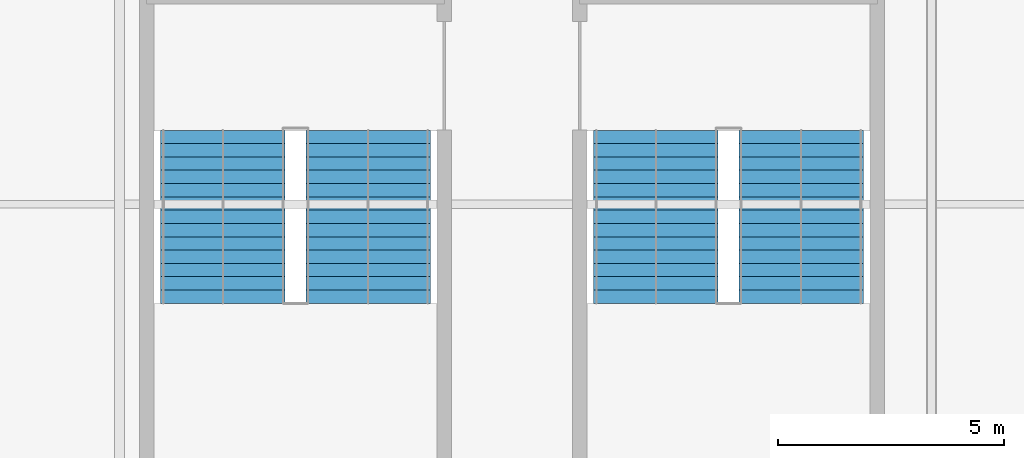
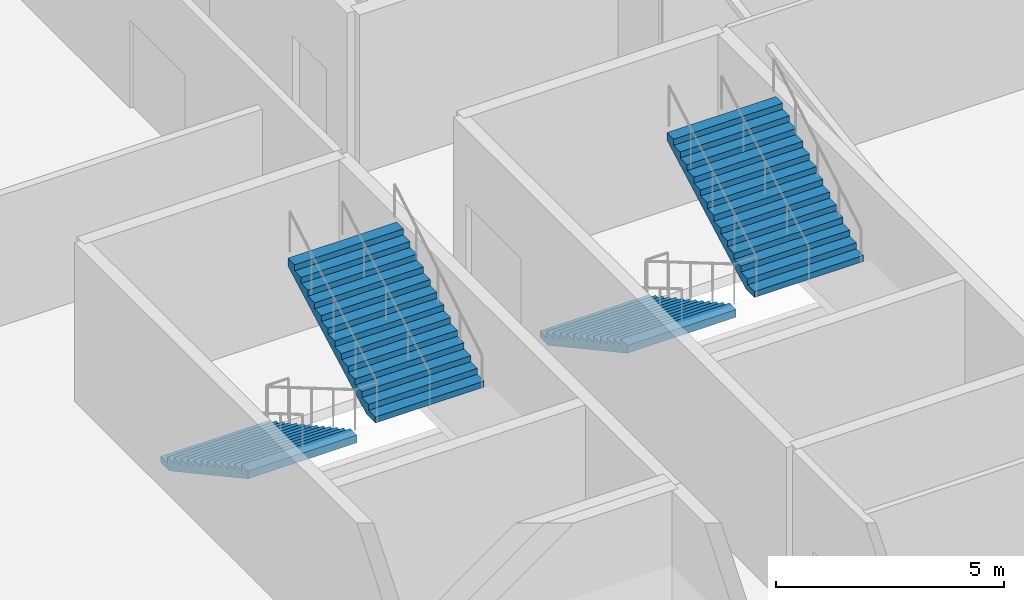
# One storey, part 64 of 73: 4 stair flights, 2 elements without a shape of their own.
"""IFC4 building model written with IfcOpenShell, lengths in metres."""

from ifc_helpers import new_model, si_unit, direction, frame, origin, place, context, subcontext, project, spatial, polygons, material, type_object, element, aggregate, save


model = new_model("IFC4")

# Units and contexts
model_context = context("Model", 3, precision=1e-05, world=origin(), true_north=direction((0.0, 1.0)))
body_context = subcontext(model_context, "Body", "Model", "MODEL_VIEW")
ifc_project = project(units=[si_unit("LENGTHUNIT", "METRE"), si_unit("AREAUNIT", "SQUARE_METRE"), si_unit("VOLUMEUNIT", "CUBIC_METRE"), si_unit("PLANEANGLEUNIT", "RADIAN"), si_unit("MASSUNIT", "GRAM", prefix="KILO")], contexts=[model_context])

# Site, building, storey
site_placement = place(None, origin())
site = spatial("IfcSite", under=ifc_project, at=site_placement, CompositionType="ELEMENT")
building_placement = place(site_placement, origin())
building = spatial("IfcBuilding", under=site, at=building_placement, Name="Kisiwana Market Hall", CompositionType="ELEMENT")
storey_placement = place(building_placement, frame((0.0, 0.0, 33.300048828125)))
storey = spatial("IfcBuildingStorey", under=building, at=storey_placement, Name="L07", CompositionType="ELEMENT", Elevation=33.300048828125)

# Stair, stair flights
ifc_material_1 = material(Name="Concrete C32/40", Category="concrete")
stair_type = type_object("IfcStairType", Name="ST-ESC-4500", PredefinedType="TWO_STRAIGHT_RUN_STAIR", material=ifc_material_1)
stair_1_placement = place(storey_placement, origin())
stair_1 = element("IfcStair", 1, at=stair_1_placement, inside=storey, type_object=stair_type, Name="Escape stair ST-E4-L07", PredefinedType="TWO_STRAIGHT_RUN_STAIR")
ifc_material_2 = material(Name="Concrete C32/40", Category="concrete")
stair_flight_type = type_object("IfcStairFlightType", Name="SF-ESC-4500", PredefinedType="STRAIGHT", material=ifc_material_2)
stair_flight_1_placement = place(storey_placement, frame((182.889892578125, 77.639892578125, 0.0), z_axis=(0.0, 0.0, 1.0), x_axis=(0.0, -1.0, 0.0)))
stair_flight_1 = element("IfcStairFlight", 2, at=stair_flight_1_placement, type_object=stair_flight_type, Name="ST-E4-L07 flight 1", NumberOfRisers=14, NumberOfTreads=13, PredefinedType="STRAIGHT", RiserHeight=0.160714, TreadLength=0.295, context=body_context, shape_type="Tessellation", body=[
    polygons([(0.0, -1.380127, 0.0), (0.0, -0.690125, 0.0), (0.0, -0.000122, 0.0), (0.0, 0.68988, 0.0), (0.0, 1.379883, 0.0), (0.0, -1.380127, 0.160645), (0.0, -0.690125, 0.160645), (0.0, -0.000122, 0.160645), (0.0, 0.68988, 0.160645), (0.0, 1.379883, 0.160645), (0.294922, -1.380127, 0.160645), (0.294922, -0.690125, 0.160645), (0.294922, -0.000122, 0.160645), (0.294922, 0.68988, 0.160645), (0.294922, 1.379883, 0.160645), (0.294922, -1.380127, 0.321533), (0.294922, -0.690125, 0.321533), (0.294922, -0.000122, 0.321533), (0.294922, 0.68988, 0.321533), (0.294922, 1.379883, 0.321533), (0.590088, -1.380127, 0.321533), (0.590088, -0.690125, 0.321533), (0.590088, -0.000122, 0.321533), (0.590088, 0.68988, 0.321533), (0.590088, 1.379883, 0.321533), (0.590088, -1.380127, 0.482178), (0.590088, -0.690125, 0.482178), (0.590088, -0.000122, 0.482178), (0.590088, 0.68988, 0.482178), (0.590088, 1.379883, 0.482178), (0.88501, -1.380127, 0.482178), (0.88501, -0.690125, 0.482178), (0.88501, -0.000122, 0.482178), (0.88501, 0.68988, 0.482178), (0.88501, 1.379883, 0.482178), (0.88501, -1.380127, 0.642822), (0.88501, -0.690125, 0.642822), (0.88501, -0.000122, 0.642822), (0.88501, 0.68988, 0.642822), (0.88501, 1.379883, 0.642822), (1.179932, -1.380127, 0.642822), (1.179932, -0.690125, 0.642822), (1.179932, -0.000122, 0.642822), (1.179932, 0.68988, 0.642822), (1.179932, 1.379883, 0.642822), (1.179932, -1.380127, 0.803467), (1.179932, -0.690125, 0.803467), (1.179932, -0.000122, 0.803467), (1.179932, 0.68988, 0.803467), (1.179932, 1.379883, 0.803467), (1.475098, -1.380127, 0.803467), (1.475098, -0.690125, 0.803467), (1.475098, -0.000122, 0.803467), (1.475098, 0.68988, 0.803467), (1.475098, 1.379883, 0.803467), (1.475098, -1.380127, 0.964355), (1.475098, -0.690125, 0.964355), (1.475098, -0.000122, 0.964355), (1.475098, 0.68988, 0.964355), (1.475098, 1.379883, 0.964355), (1.77002, -1.380127, 0.964355), (1.77002, -0.690125, 0.964355), (1.77002, -0.000122, 0.964355), (1.77002, 0.68988, 0.964355), (1.77002, 1.379883, 0.964355), (1.77002, -1.380127, 1.125), (1.77002, -0.690125, 1.125), (1.77002, -0.000122, 1.125), (1.77002, 0.68988, 1.125), (1.77002, 1.379883, 1.125), (2.064941, -1.380127, 1.125), (2.064941, -0.690125, 1.125), (2.064941, -0.000122, 1.125), (2.064941, 0.68988, 1.125), (2.064941, 1.379883, 1.125), (2.064941, -1.380127, 1.285645), (2.064941, -0.690125, 1.285645), (2.064941, -0.000122, 1.285645), (2.064941, 0.68988, 1.285645), (2.064941, 1.379883, 1.285645), (2.360107, -1.380127, 1.285645), (2.360107, -0.690125, 1.285645), (2.360107, -0.000122, 1.285645), (2.360107, 0.68988, 1.285645), (2.360107, 1.379883, 1.285645), (2.360107, -1.380127, 1.446533), (2.360107, -0.690125, 1.446533), (2.360107, -0.000122, 1.446533), (2.360107, 0.68988, 1.446533), (2.360107, 1.379883, 1.446533), (2.655029, -1.380127, 1.446533), (2.655029, -0.690125, 1.446533), (2.655029, -0.000122, 1.446533), (2.655029, 0.68988, 1.446533), (2.655029, 1.379883, 1.446533), (2.655029, -1.380127, 1.607178), (2.655029, -0.690125, 1.607178), (2.655029, -0.000122, 1.607178), (2.655029, 0.68988, 1.607178), (2.655029, 1.379883, 1.607178), (2.949951, -1.380127, 1.607178), (2.949951, -0.690125, 1.607178), (2.949951, -0.000122, 1.607178), (2.949951, 0.68988, 1.607178), (2.949951, 1.379883, 1.607178), (2.949951, -1.380127, 1.767822), (2.949951, -0.690125, 1.767822), (2.949951, -0.000122, 1.767822), (2.949951, 0.68988, 1.767822), (2.949951, 1.379883, 1.767822), (3.245117, -1.380127, 1.767822), (3.245117, -0.690125, 1.767822), (3.245117, -0.000122, 1.767822), (3.245117, 0.68988, 1.767822), (3.245117, 1.379883, 1.767822), (3.245117, -1.380127, 1.928467), (3.245117, -0.690125, 1.928467), (3.245117, -0.000122, 1.928467), (3.245117, 0.68988, 1.928467), (3.245117, 1.379883, 1.928467), (3.540039, -1.380127, 1.928467), (3.540039, -0.690125, 1.928467), (3.540039, -0.000122, 1.928467), (3.540039, 0.68988, 1.928467), (3.540039, 1.379883, 1.928467), (3.540039, -1.380127, 2.089355), (3.540039, -0.690125, 2.089355), (3.540039, -0.000122, 2.089355), (3.540039, 0.68988, 2.089355), (3.540039, 1.379883, 2.089355), (3.834961, -1.380127, 2.089355), (3.834961, -0.690125, 2.089355), (3.834961, -0.000122, 2.089355), (3.834961, 0.68988, 2.089355), (3.834961, 1.379883, 2.089355), (3.834961, -1.380127, 1.884277), (3.834961, -0.690125, 1.884277), (3.834961, -0.000122, 1.884277), (3.834961, 0.68988, 1.884277), (3.834961, 1.379883, 1.884277), (0.376221, -1.380127, 0.0), (0.376221, -0.690125, 0.0), (0.376221, -0.000122, 0.0), (0.376221, 0.68988, 0.0), (0.376221, 1.379883, 0.0)], [[[1, 6, 7, 2]], [[2, 7, 8, 3]], [[3, 8, 9, 4]], [[4, 9, 10, 5]], [[6, 11, 12, 7]], [[7, 12, 13, 8]], [[8, 13, 14, 9]], [[9, 14, 15, 10]], [[11, 16, 17, 12]], [[12, 17, 18, 13]], [[13, 18, 19, 14]], [[14, 19, 20, 15]], [[16, 21, 22, 17]], [[17, 22, 23, 18]], [[18, 23, 24, 19]], [[19, 24, 25, 20]], [[21, 26, 27, 22]], [[22, 27, 28, 23]], [[23, 28, 29, 24]], [[24, 29, 30, 25]], [[26, 31, 32, 27]], [[27, 32, 33, 28]], [[28, 33, 34, 29]], [[29, 34, 35, 30]], [[31, 36, 37, 32]], [[32, 37, 38, 33]], [[33, 38, 39, 34]], [[34, 39, 40, 35]], [[36, 41, 42, 37]], [[37, 42, 43, 38]], [[38, 43, 44, 39]], [[39, 44, 45, 40]], [[41, 46, 47, 42]], [[42, 47, 48, 43]], [[43, 48, 49, 44]], [[44, 49, 50, 45]], [[46, 51, 52, 47]], [[47, 52, 53, 48]], [[48, 53, 54, 49]], [[49, 54, 55, 50]], [[51, 56, 57, 52]], [[52, 57, 58, 53]], [[53, 58, 59, 54]], [[54, 59, 60, 55]], [[56, 61, 62, 57]], [[57, 62, 63, 58]], [[58, 63, 64, 59]], [[59, 64, 65, 60]], [[61, 66, 67, 62]], [[62, 67, 68, 63]], [[63, 68, 69, 64]], [[64, 69, 70, 65]], [[66, 71, 72, 67]], [[67, 72, 73, 68]], [[68, 73, 74, 69]], [[69, 74, 75, 70]], [[71, 76, 77, 72]], [[72, 77, 78, 73]], [[73, 78, 79, 74]], [[74, 79, 80, 75]], [[76, 81, 82, 77]], [[77, 82, 83, 78]], [[78, 83, 84, 79]], [[79, 84, 85, 80]], [[81, 86, 87, 82]], [[82, 87, 88, 83]], [[83, 88, 89, 84]], [[84, 89, 90, 85]], [[86, 91, 92, 87]], [[87, 92, 93, 88]], [[88, 93, 94, 89]], [[89, 94, 95, 90]], [[91, 96, 97, 92]], [[92, 97, 98, 93]], [[93, 98, 99, 94]], [[94, 99, 100, 95]], [[96, 101, 102, 97]], [[97, 102, 103, 98]], [[98, 103, 104, 99]], [[99, 104, 105, 100]], [[101, 106, 107, 102]], [[102, 107, 108, 103]], [[103, 108, 109, 104]], [[104, 109, 110, 105]], [[106, 111, 112, 107]], [[107, 112, 113, 108]], [[108, 113, 114, 109]], [[109, 114, 115, 110]], [[111, 116, 117, 112]], [[112, 117, 118, 113]], [[113, 118, 119, 114]], [[114, 119, 120, 115]], [[116, 121, 122, 117]], [[117, 122, 123, 118]], [[118, 123, 124, 119]], [[119, 124, 125, 120]], [[121, 126, 127, 122]], [[122, 127, 128, 123]], [[123, 128, 129, 124]], [[124, 129, 130, 125]], [[126, 131, 132, 127]], [[127, 132, 133, 128]], [[128, 133, 134, 129]], [[129, 134, 135, 130]], [[131, 136, 137, 132]], [[132, 137, 138, 133]], [[133, 138, 139, 134]], [[134, 139, 140, 135]], [[136, 141, 142, 137]], [[137, 142, 143, 138]], [[138, 143, 144, 139]], [[139, 144, 145, 140]], [[141, 1, 2, 142]], [[142, 2, 3, 143]], [[143, 3, 4, 144]], [[144, 4, 5, 145]], [[141, 136, 131, 126, 121, 116, 111, 106, 101, 96, 91, 86, 81, 76, 71, 66, 61, 56, 51, 46, 41, 36, 31, 26, 21, 16, 11, 6, 1]], [[5, 10, 15, 20, 25, 30, 35, 40, 45, 50, 55, 60, 65, 70, 75, 80, 85, 90, 95, 100, 105, 110, 115, 120, 125, 130, 135, 140, 145]]], closed=True),
])
stair_flight_2_placement = place(storey_placement, frame((186.110107421875, 73.804931640625, 2.25), z_axis=(0.0, 0.0, 1.0), x_axis=(0.0, 1.0, 0.0)))
stair_flight_2 = element("IfcStairFlight", 3, at=stair_flight_2_placement, type_object=stair_flight_type, Name="ST-E4-L07 flight 2", NumberOfRisers=14, NumberOfTreads=13, PredefinedType="STRAIGHT", RiserHeight=0.160714, TreadLength=0.295, context=body_context, shape_type="Tessellation", body=[
    polygons([(0.0, -1.380127, 0.0), (0.0, -0.690125, 0.0), (0.0, -0.000122, 0.0), (0.0, 0.68988, 0.0), (0.0, 1.379883, 0.0), (0.0, -1.380127, 0.160645), (0.0, -0.690125, 0.160645), (0.0, -0.000122, 0.160645), (0.0, 0.68988, 0.160645), (0.0, 1.379883, 0.160645), (0.294922, -1.380127, 0.160645), (0.294922, -0.690125, 0.160645), (0.294922, -0.000122, 0.160645), (0.294922, 0.68988, 0.160645), (0.294922, 1.379883, 0.160645), (0.294922, -1.380127, 0.321533), (0.294922, -0.690125, 0.321533), (0.294922, -0.000122, 0.321533), (0.294922, 0.68988, 0.321533), (0.294922, 1.379883, 0.321533), (0.590088, -1.380127, 0.321533), (0.590088, -0.690125, 0.321533), (0.590088, -0.000122, 0.321533), (0.590088, 0.68988, 0.321533), (0.590088, 1.379883, 0.321533), (0.590088, -1.380127, 0.482178), (0.590088, -0.690125, 0.482178), (0.590088, -0.000122, 0.482178), (0.590088, 0.68988, 0.482178), (0.590088, 1.379883, 0.482178), (0.88501, -1.380127, 0.482178), (0.88501, -0.690125, 0.482178), (0.88501, -0.000122, 0.482178), (0.88501, 0.68988, 0.482178), (0.88501, 1.379883, 0.482178), (0.88501, -1.380127, 0.642822), (0.88501, -0.690125, 0.642822), (0.88501, -0.000122, 0.642822), (0.88501, 0.68988, 0.642822), (0.88501, 1.379883, 0.642822), (1.179932, -1.380127, 0.642822), (1.179932, -0.690125, 0.642822), (1.179932, -0.000122, 0.642822), (1.179932, 0.68988, 0.642822), (1.179932, 1.379883, 0.642822), (1.179932, -1.380127, 0.803467), (1.179932, -0.690125, 0.803467), (1.179932, -0.000122, 0.803467), (1.179932, 0.68988, 0.803467), (1.179932, 1.379883, 0.803467), (1.475098, -1.380127, 0.803467), (1.475098, -0.690125, 0.803467), (1.475098, -0.000122, 0.803467), (1.475098, 0.68988, 0.803467), (1.475098, 1.379883, 0.803467), (1.475098, -1.380127, 0.964355), (1.475098, -0.690125, 0.964355), (1.475098, -0.000122, 0.964355), (1.475098, 0.68988, 0.964355), (1.475098, 1.379883, 0.964355), (1.77002, -1.380127, 0.964355), (1.77002, -0.690125, 0.964355), (1.77002, -0.000122, 0.964355), (1.77002, 0.68988, 0.964355), (1.77002, 1.379883, 0.964355), (1.77002, -1.380127, 1.125), (1.77002, -0.690125, 1.125), (1.77002, -0.000122, 1.125), (1.77002, 0.68988, 1.125), (1.77002, 1.379883, 1.125), (2.064941, -1.380127, 1.125), (2.064941, -0.690125, 1.125), (2.064941, -0.000122, 1.125), (2.064941, 0.68988, 1.125), (2.064941, 1.379883, 1.125), (2.064941, -1.380127, 1.285645), (2.064941, -0.690125, 1.285645), (2.064941, -0.000122, 1.285645), (2.064941, 0.68988, 1.285645), (2.064941, 1.379883, 1.285645), (2.360107, -1.380127, 1.285645), (2.360107, -0.690125, 1.285645), (2.360107, -0.000122, 1.285645), (2.360107, 0.68988, 1.285645), (2.360107, 1.379883, 1.285645), (2.360107, -1.380127, 1.446533), (2.360107, -0.690125, 1.446533), (2.360107, -0.000122, 1.446533), (2.360107, 0.68988, 1.446533), (2.360107, 1.379883, 1.446533), (2.655029, -1.380127, 1.446533), (2.655029, -0.690125, 1.446533), (2.655029, -0.000122, 1.446533), (2.655029, 0.68988, 1.446533), (2.655029, 1.379883, 1.446533), (2.655029, -1.380127, 1.607178), (2.655029, -0.690125, 1.607178), (2.655029, -0.000122, 1.607178), (2.655029, 0.68988, 1.607178), (2.655029, 1.379883, 1.607178), (2.949951, -1.380127, 1.607178), (2.949951, -0.690125, 1.607178), (2.949951, -0.000122, 1.607178), (2.949951, 0.68988, 1.607178), (2.949951, 1.379883, 1.607178), (2.949951, -1.380127, 1.767822), (2.949951, -0.690125, 1.767822), (2.949951, -0.000122, 1.767822), (2.949951, 0.68988, 1.767822), (2.949951, 1.379883, 1.767822), (3.245117, -1.380127, 1.767822), (3.245117, -0.690125, 1.767822), (3.245117, -0.000122, 1.767822), (3.245117, 0.68988, 1.767822), (3.245117, 1.379883, 1.767822), (3.245117, -1.380127, 1.928467), (3.245117, -0.690125, 1.928467), (3.245117, -0.000122, 1.928467), (3.245117, 0.68988, 1.928467), (3.245117, 1.379883, 1.928467), (3.540039, -1.380127, 1.928467), (3.540039, -0.690125, 1.928467), (3.540039, -0.000122, 1.928467), (3.540039, 0.68988, 1.928467), (3.540039, 1.379883, 1.928467), (3.540039, -1.380127, 2.089355), (3.540039, -0.690125, 2.089355), (3.540039, -0.000122, 2.089355), (3.540039, 0.68988, 2.089355), (3.540039, 1.379883, 2.089355), (3.834961, -1.380127, 2.089355), (3.834961, -0.690125, 2.089355), (3.834961, -0.000122, 2.089355), (3.834961, 0.68988, 2.089355), (3.834961, 1.379883, 2.089355), (3.834961, -1.380127, 1.884277), (3.834961, -0.690125, 1.884277), (3.834961, -0.000122, 1.884277), (3.834961, 0.68988, 1.884277), (3.834961, 1.379883, 1.884277), (0.376221, -1.380127, 0.0), (0.376221, -0.690125, 0.0), (0.376221, -0.000122, 0.0), (0.376221, 0.68988, 0.0), (0.376221, 1.379883, 0.0)], [[[1, 6, 7, 2]], [[2, 7, 8, 3]], [[3, 8, 9, 4]], [[4, 9, 10, 5]], [[6, 11, 12, 7]], [[7, 12, 13, 8]], [[8, 13, 14, 9]], [[9, 14, 15, 10]], [[11, 16, 17, 12]], [[12, 17, 18, 13]], [[13, 18, 19, 14]], [[14, 19, 20, 15]], [[16, 21, 22, 17]], [[17, 22, 23, 18]], [[18, 23, 24, 19]], [[19, 24, 25, 20]], [[21, 26, 27, 22]], [[22, 27, 28, 23]], [[23, 28, 29, 24]], [[24, 29, 30, 25]], [[26, 31, 32, 27]], [[27, 32, 33, 28]], [[28, 33, 34, 29]], [[29, 34, 35, 30]], [[31, 36, 37, 32]], [[32, 37, 38, 33]], [[33, 38, 39, 34]], [[34, 39, 40, 35]], [[36, 41, 42, 37]], [[37, 42, 43, 38]], [[38, 43, 44, 39]], [[39, 44, 45, 40]], [[41, 46, 47, 42]], [[42, 47, 48, 43]], [[43, 48, 49, 44]], [[44, 49, 50, 45]], [[46, 51, 52, 47]], [[47, 52, 53, 48]], [[48, 53, 54, 49]], [[49, 54, 55, 50]], [[51, 56, 57, 52]], [[52, 57, 58, 53]], [[53, 58, 59, 54]], [[54, 59, 60, 55]], [[56, 61, 62, 57]], [[57, 62, 63, 58]], [[58, 63, 64, 59]], [[59, 64, 65, 60]], [[61, 66, 67, 62]], [[62, 67, 68, 63]], [[63, 68, 69, 64]], [[64, 69, 70, 65]], [[66, 71, 72, 67]], [[67, 72, 73, 68]], [[68, 73, 74, 69]], [[69, 74, 75, 70]], [[71, 76, 77, 72]], [[72, 77, 78, 73]], [[73, 78, 79, 74]], [[74, 79, 80, 75]], [[76, 81, 82, 77]], [[77, 82, 83, 78]], [[78, 83, 84, 79]], [[79, 84, 85, 80]], [[81, 86, 87, 82]], [[82, 87, 88, 83]], [[83, 88, 89, 84]], [[84, 89, 90, 85]], [[86, 91, 92, 87]], [[87, 92, 93, 88]], [[88, 93, 94, 89]], [[89, 94, 95, 90]], [[91, 96, 97, 92]], [[92, 97, 98, 93]], [[93, 98, 99, 94]], [[94, 99, 100, 95]], [[96, 101, 102, 97]], [[97, 102, 103, 98]], [[98, 103, 104, 99]], [[99, 104, 105, 100]], [[101, 106, 107, 102]], [[102, 107, 108, 103]], [[103, 108, 109, 104]], [[104, 109, 110, 105]], [[106, 111, 112, 107]], [[107, 112, 113, 108]], [[108, 113, 114, 109]], [[109, 114, 115, 110]], [[111, 116, 117, 112]], [[112, 117, 118, 113]], [[113, 118, 119, 114]], [[114, 119, 120, 115]], [[116, 121, 122, 117]], [[117, 122, 123, 118]], [[118, 123, 124, 119]], [[119, 124, 125, 120]], [[121, 126, 127, 122]], [[122, 127, 128, 123]], [[123, 128, 129, 124]], [[124, 129, 130, 125]], [[126, 131, 132, 127]], [[127, 132, 133, 128]], [[128, 133, 134, 129]], [[129, 134, 135, 130]], [[131, 136, 137, 132]], [[132, 137, 138, 133]], [[133, 138, 139, 134]], [[134, 139, 140, 135]], [[136, 141, 142, 137]], [[137, 142, 143, 138]], [[138, 143, 144, 139]], [[139, 144, 145, 140]], [[141, 1, 2, 142]], [[142, 2, 3, 143]], [[143, 3, 4, 144]], [[144, 4, 5, 145]], [[141, 136, 131, 126, 121, 116, 111, 106, 101, 96, 91, 86, 81, 76, 71, 66, 61, 56, 51, 46, 41, 36, 31, 26, 21, 16, 11, 6, 1]], [[5, 10, 15, 20, 25, 30, 35, 40, 45, 50, 55, 60, 65, 70, 75, 80, 85, 90, 95, 100, 105, 110, 115, 120, 125, 130, 135, 140, 145]]], closed=True),
])
aggregate(stair_1, [stair_flight_1, stair_flight_2])

stair_2_placement = place(storey_placement, origin())
stair_2 = element("IfcStair", 4, at=stair_2_placement, inside=storey, type_object=stair_type, Name="Escape stair ST-E8-L07", PredefinedType="TWO_STRAIGHT_RUN_STAIR")
stair_flight_3_placement = place(storey_placement, frame((173.2900390625, 77.639892578125, 0.0), z_axis=(0.0, 0.0, 1.0), x_axis=(0.0, -1.0, 0.0)))
stair_flight_3 = element("IfcStairFlight", 5, at=stair_flight_3_placement, type_object=stair_flight_type, Name="ST-E8-L07 flight 1", NumberOfRisers=14, NumberOfTreads=13, PredefinedType="STRAIGHT", RiserHeight=0.160714, TreadLength=0.295, context=body_context, shape_type="Tessellation", body=[
    polygons([(0.0, -1.380127, 0.0), (0.0, -0.690125, 0.0), (0.0, -0.000122, 0.0), (0.0, 0.68988, 0.0), (0.0, 1.379883, 0.0), (0.0, -1.380127, 0.160645), (0.0, -0.690125, 0.160645), (0.0, -0.000122, 0.160645), (0.0, 0.68988, 0.160645), (0.0, 1.379883, 0.160645), (0.294922, -1.380127, 0.160645), (0.294922, -0.690125, 0.160645), (0.294922, -0.000122, 0.160645), (0.294922, 0.68988, 0.160645), (0.294922, 1.379883, 0.160645), (0.294922, -1.380127, 0.321533), (0.294922, -0.690125, 0.321533), (0.294922, -0.000122, 0.321533), (0.294922, 0.68988, 0.321533), (0.294922, 1.379883, 0.321533), (0.590088, -1.380127, 0.321533), (0.590088, -0.690125, 0.321533), (0.590088, -0.000122, 0.321533), (0.590088, 0.68988, 0.321533), (0.590088, 1.379883, 0.321533), (0.590088, -1.380127, 0.482178), (0.590088, -0.690125, 0.482178), (0.590088, -0.000122, 0.482178), (0.590088, 0.68988, 0.482178), (0.590088, 1.379883, 0.482178), (0.88501, -1.380127, 0.482178), (0.88501, -0.690125, 0.482178), (0.88501, -0.000122, 0.482178), (0.88501, 0.68988, 0.482178), (0.88501, 1.379883, 0.482178), (0.88501, -1.380127, 0.642822), (0.88501, -0.690125, 0.642822), (0.88501, -0.000122, 0.642822), (0.88501, 0.68988, 0.642822), (0.88501, 1.379883, 0.642822), (1.179932, -1.380127, 0.642822), (1.179932, -0.690125, 0.642822), (1.179932, -0.000122, 0.642822), (1.179932, 0.68988, 0.642822), (1.179932, 1.379883, 0.642822), (1.179932, -1.380127, 0.803467), (1.179932, -0.690125, 0.803467), (1.179932, -0.000122, 0.803467), (1.179932, 0.68988, 0.803467), (1.179932, 1.379883, 0.803467), (1.475098, -1.380127, 0.803467), (1.475098, -0.690125, 0.803467), (1.475098, -0.000122, 0.803467), (1.475098, 0.68988, 0.803467), (1.475098, 1.379883, 0.803467), (1.475098, -1.380127, 0.964355), (1.475098, -0.690125, 0.964355), (1.475098, -0.000122, 0.964355), (1.475098, 0.68988, 0.964355), (1.475098, 1.379883, 0.964355), (1.77002, -1.380127, 0.964355), (1.77002, -0.690125, 0.964355), (1.77002, -0.000122, 0.964355), (1.77002, 0.68988, 0.964355), (1.77002, 1.379883, 0.964355), (1.77002, -1.380127, 1.125), (1.77002, -0.690125, 1.125), (1.77002, -0.000122, 1.125), (1.77002, 0.68988, 1.125), (1.77002, 1.379883, 1.125), (2.064941, -1.380127, 1.125), (2.064941, -0.690125, 1.125), (2.064941, -0.000122, 1.125), (2.064941, 0.68988, 1.125), (2.064941, 1.379883, 1.125), (2.064941, -1.380127, 1.285645), (2.064941, -0.690125, 1.285645), (2.064941, -0.000122, 1.285645), (2.064941, 0.68988, 1.285645), (2.064941, 1.379883, 1.285645), (2.360107, -1.380127, 1.285645), (2.360107, -0.690125, 1.285645), (2.360107, -0.000122, 1.285645), (2.360107, 0.68988, 1.285645), (2.360107, 1.379883, 1.285645), (2.360107, -1.380127, 1.446533), (2.360107, -0.690125, 1.446533), (2.360107, -0.000122, 1.446533), (2.360107, 0.68988, 1.446533), (2.360107, 1.379883, 1.446533), (2.655029, -1.380127, 1.446533), (2.655029, -0.690125, 1.446533), (2.655029, -0.000122, 1.446533), (2.655029, 0.68988, 1.446533), (2.655029, 1.379883, 1.446533), (2.655029, -1.380127, 1.607178), (2.655029, -0.690125, 1.607178), (2.655029, -0.000122, 1.607178), (2.655029, 0.68988, 1.607178), (2.655029, 1.379883, 1.607178), (2.949951, -1.380127, 1.607178), (2.949951, -0.690125, 1.607178), (2.949951, -0.000122, 1.607178), (2.949951, 0.68988, 1.607178), (2.949951, 1.379883, 1.607178), (2.949951, -1.380127, 1.767822), (2.949951, -0.690125, 1.767822), (2.949951, -0.000122, 1.767822), (2.949951, 0.68988, 1.767822), (2.949951, 1.379883, 1.767822), (3.245117, -1.380127, 1.767822), (3.245117, -0.690125, 1.767822), (3.245117, -0.000122, 1.767822), (3.245117, 0.68988, 1.767822), (3.245117, 1.379883, 1.767822), (3.245117, -1.380127, 1.928467), (3.245117, -0.690125, 1.928467), (3.245117, -0.000122, 1.928467), (3.245117, 0.68988, 1.928467), (3.245117, 1.379883, 1.928467), (3.540039, -1.380127, 1.928467), (3.540039, -0.690125, 1.928467), (3.540039, -0.000122, 1.928467), (3.540039, 0.68988, 1.928467), (3.540039, 1.379883, 1.928467), (3.540039, -1.380127, 2.089355), (3.540039, -0.690125, 2.089355), (3.540039, -0.000122, 2.089355), (3.540039, 0.68988, 2.089355), (3.540039, 1.379883, 2.089355), (3.834961, -1.380127, 2.089355), (3.834961, -0.690125, 2.089355), (3.834961, -0.000122, 2.089355), (3.834961, 0.68988, 2.089355), (3.834961, 1.379883, 2.089355), (3.834961, -1.380127, 1.884277), (3.834961, -0.690125, 1.884277), (3.834961, -0.000122, 1.884277), (3.834961, 0.68988, 1.884277), (3.834961, 1.379883, 1.884277), (0.376221, -1.380127, 0.0), (0.376221, -0.690125, 0.0), (0.376221, -0.000122, 0.0), (0.376221, 0.68988, 0.0), (0.376221, 1.379883, 0.0)], [[[1, 6, 7, 2]], [[2, 7, 8, 3]], [[3, 8, 9, 4]], [[4, 9, 10, 5]], [[6, 11, 12, 7]], [[7, 12, 13, 8]], [[8, 13, 14, 9]], [[9, 14, 15, 10]], [[11, 16, 17, 12]], [[12, 17, 18, 13]], [[13, 18, 19, 14]], [[14, 19, 20, 15]], [[16, 21, 22, 17]], [[17, 22, 23, 18]], [[18, 23, 24, 19]], [[19, 24, 25, 20]], [[21, 26, 27, 22]], [[22, 27, 28, 23]], [[23, 28, 29, 24]], [[24, 29, 30, 25]], [[26, 31, 32, 27]], [[27, 32, 33, 28]], [[28, 33, 34, 29]], [[29, 34, 35, 30]], [[31, 36, 37, 32]], [[32, 37, 38, 33]], [[33, 38, 39, 34]], [[34, 39, 40, 35]], [[36, 41, 42, 37]], [[37, 42, 43, 38]], [[38, 43, 44, 39]], [[39, 44, 45, 40]], [[41, 46, 47, 42]], [[42, 47, 48, 43]], [[43, 48, 49, 44]], [[44, 49, 50, 45]], [[46, 51, 52, 47]], [[47, 52, 53, 48]], [[48, 53, 54, 49]], [[49, 54, 55, 50]], [[51, 56, 57, 52]], [[52, 57, 58, 53]], [[53, 58, 59, 54]], [[54, 59, 60, 55]], [[56, 61, 62, 57]], [[57, 62, 63, 58]], [[58, 63, 64, 59]], [[59, 64, 65, 60]], [[61, 66, 67, 62]], [[62, 67, 68, 63]], [[63, 68, 69, 64]], [[64, 69, 70, 65]], [[66, 71, 72, 67]], [[67, 72, 73, 68]], [[68, 73, 74, 69]], [[69, 74, 75, 70]], [[71, 76, 77, 72]], [[72, 77, 78, 73]], [[73, 78, 79, 74]], [[74, 79, 80, 75]], [[76, 81, 82, 77]], [[77, 82, 83, 78]], [[78, 83, 84, 79]], [[79, 84, 85, 80]], [[81, 86, 87, 82]], [[82, 87, 88, 83]], [[83, 88, 89, 84]], [[84, 89, 90, 85]], [[86, 91, 92, 87]], [[87, 92, 93, 88]], [[88, 93, 94, 89]], [[89, 94, 95, 90]], [[91, 96, 97, 92]], [[92, 97, 98, 93]], [[93, 98, 99, 94]], [[94, 99, 100, 95]], [[96, 101, 102, 97]], [[97, 102, 103, 98]], [[98, 103, 104, 99]], [[99, 104, 105, 100]], [[101, 106, 107, 102]], [[102, 107, 108, 103]], [[103, 108, 109, 104]], [[104, 109, 110, 105]], [[106, 111, 112, 107]], [[107, 112, 113, 108]], [[108, 113, 114, 109]], [[109, 114, 115, 110]], [[111, 116, 117, 112]], [[112, 117, 118, 113]], [[113, 118, 119, 114]], [[114, 119, 120, 115]], [[116, 121, 122, 117]], [[117, 122, 123, 118]], [[118, 123, 124, 119]], [[119, 124, 125, 120]], [[121, 126, 127, 122]], [[122, 127, 128, 123]], [[123, 128, 129, 124]], [[124, 129, 130, 125]], [[126, 131, 132, 127]], [[127, 132, 133, 128]], [[128, 133, 134, 129]], [[129, 134, 135, 130]], [[131, 136, 137, 132]], [[132, 137, 138, 133]], [[133, 138, 139, 134]], [[134, 139, 140, 135]], [[136, 141, 142, 137]], [[137, 142, 143, 138]], [[138, 143, 144, 139]], [[139, 144, 145, 140]], [[141, 1, 2, 142]], [[142, 2, 3, 143]], [[143, 3, 4, 144]], [[144, 4, 5, 145]], [[141, 136, 131, 126, 121, 116, 111, 106, 101, 96, 91, 86, 81, 76, 71, 66, 61, 56, 51, 46, 41, 36, 31, 26, 21, 16, 11, 6, 1]], [[5, 10, 15, 20, 25, 30, 35, 40, 45, 50, 55, 60, 65, 70, 75, 80, 85, 90, 95, 100, 105, 110, 115, 120, 125, 130, 135, 140, 145]]], closed=True),
])
stair_flight_4_placement = place(storey_placement, frame((176.510009765625, 73.804931640625, 2.25), z_axis=(0.0, 0.0, 1.0), x_axis=(0.0, 1.0, 0.0)))
stair_flight_4 = element("IfcStairFlight", 6, at=stair_flight_4_placement, type_object=stair_flight_type, Name="ST-E8-L07 flight 2", NumberOfRisers=14, NumberOfTreads=13, PredefinedType="STRAIGHT", RiserHeight=0.160714, TreadLength=0.295, context=body_context, shape_type="Tessellation", body=[
    polygons([(0.0, -1.380127, 0.0), (0.0, -0.690125, 0.0), (0.0, -0.000122, 0.0), (0.0, 0.68988, 0.0), (0.0, 1.379883, 0.0), (0.0, -1.380127, 0.160645), (0.0, -0.690125, 0.160645), (0.0, -0.000122, 0.160645), (0.0, 0.68988, 0.160645), (0.0, 1.379883, 0.160645), (0.294922, -1.380127, 0.160645), (0.294922, -0.690125, 0.160645), (0.294922, -0.000122, 0.160645), (0.294922, 0.68988, 0.160645), (0.294922, 1.379883, 0.160645), (0.294922, -1.380127, 0.321533), (0.294922, -0.690125, 0.321533), (0.294922, -0.000122, 0.321533), (0.294922, 0.68988, 0.321533), (0.294922, 1.379883, 0.321533), (0.590088, -1.380127, 0.321533), (0.590088, -0.690125, 0.321533), (0.590088, -0.000122, 0.321533), (0.590088, 0.68988, 0.321533), (0.590088, 1.379883, 0.321533), (0.590088, -1.380127, 0.482178), (0.590088, -0.690125, 0.482178), (0.590088, -0.000122, 0.482178), (0.590088, 0.68988, 0.482178), (0.590088, 1.379883, 0.482178), (0.88501, -1.380127, 0.482178), (0.88501, -0.690125, 0.482178), (0.88501, -0.000122, 0.482178), (0.88501, 0.68988, 0.482178), (0.88501, 1.379883, 0.482178), (0.88501, -1.380127, 0.642822), (0.88501, -0.690125, 0.642822), (0.88501, -0.000122, 0.642822), (0.88501, 0.68988, 0.642822), (0.88501, 1.379883, 0.642822), (1.179932, -1.380127, 0.642822), (1.179932, -0.690125, 0.642822), (1.179932, -0.000122, 0.642822), (1.179932, 0.68988, 0.642822), (1.179932, 1.379883, 0.642822), (1.179932, -1.380127, 0.803467), (1.179932, -0.690125, 0.803467), (1.179932, -0.000122, 0.803467), (1.179932, 0.68988, 0.803467), (1.179932, 1.379883, 0.803467), (1.475098, -1.380127, 0.803467), (1.475098, -0.690125, 0.803467), (1.475098, -0.000122, 0.803467), (1.475098, 0.68988, 0.803467), (1.475098, 1.379883, 0.803467), (1.475098, -1.380127, 0.964355), (1.475098, -0.690125, 0.964355), (1.475098, -0.000122, 0.964355), (1.475098, 0.68988, 0.964355), (1.475098, 1.379883, 0.964355), (1.77002, -1.380127, 0.964355), (1.77002, -0.690125, 0.964355), (1.77002, -0.000122, 0.964355), (1.77002, 0.68988, 0.964355), (1.77002, 1.379883, 0.964355), (1.77002, -1.380127, 1.125), (1.77002, -0.690125, 1.125), (1.77002, -0.000122, 1.125), (1.77002, 0.68988, 1.125), (1.77002, 1.379883, 1.125), (2.064941, -1.380127, 1.125), (2.064941, -0.690125, 1.125), (2.064941, -0.000122, 1.125), (2.064941, 0.68988, 1.125), (2.064941, 1.379883, 1.125), (2.064941, -1.380127, 1.285645), (2.064941, -0.690125, 1.285645), (2.064941, -0.000122, 1.285645), (2.064941, 0.68988, 1.285645), (2.064941, 1.379883, 1.285645), (2.360107, -1.380127, 1.285645), (2.360107, -0.690125, 1.285645), (2.360107, -0.000122, 1.285645), (2.360107, 0.68988, 1.285645), (2.360107, 1.379883, 1.285645), (2.360107, -1.380127, 1.446533), (2.360107, -0.690125, 1.446533), (2.360107, -0.000122, 1.446533), (2.360107, 0.68988, 1.446533), (2.360107, 1.379883, 1.446533), (2.655029, -1.380127, 1.446533), (2.655029, -0.690125, 1.446533), (2.655029, -0.000122, 1.446533), (2.655029, 0.68988, 1.446533), (2.655029, 1.379883, 1.446533), (2.655029, -1.380127, 1.607178), (2.655029, -0.690125, 1.607178), (2.655029, -0.000122, 1.607178), (2.655029, 0.68988, 1.607178), (2.655029, 1.379883, 1.607178), (2.949951, -1.380127, 1.607178), (2.949951, -0.690125, 1.607178), (2.949951, -0.000122, 1.607178), (2.949951, 0.68988, 1.607178), (2.949951, 1.379883, 1.607178), (2.949951, -1.380127, 1.767822), (2.949951, -0.690125, 1.767822), (2.949951, -0.000122, 1.767822), (2.949951, 0.68988, 1.767822), (2.949951, 1.379883, 1.767822), (3.245117, -1.380127, 1.767822), (3.245117, -0.690125, 1.767822), (3.245117, -0.000122, 1.767822), (3.245117, 0.68988, 1.767822), (3.245117, 1.379883, 1.767822), (3.245117, -1.380127, 1.928467), (3.245117, -0.690125, 1.928467), (3.245117, -0.000122, 1.928467), (3.245117, 0.68988, 1.928467), (3.245117, 1.379883, 1.928467), (3.540039, -1.380127, 1.928467), (3.540039, -0.690125, 1.928467), (3.540039, -0.000122, 1.928467), (3.540039, 0.68988, 1.928467), (3.540039, 1.379883, 1.928467), (3.540039, -1.380127, 2.089355), (3.540039, -0.690125, 2.089355), (3.540039, -0.000122, 2.089355), (3.540039, 0.68988, 2.089355), (3.540039, 1.379883, 2.089355), (3.834961, -1.380127, 2.089355), (3.834961, -0.690125, 2.089355), (3.834961, -0.000122, 2.089355), (3.834961, 0.68988, 2.089355), (3.834961, 1.379883, 2.089355), (3.834961, -1.380127, 1.884277), (3.834961, -0.690125, 1.884277), (3.834961, -0.000122, 1.884277), (3.834961, 0.68988, 1.884277), (3.834961, 1.379883, 1.884277), (0.376221, -1.380127, 0.0), (0.376221, -0.690125, 0.0), (0.376221, -0.000122, 0.0), (0.376221, 0.68988, 0.0), (0.376221, 1.379883, 0.0)], [[[1, 6, 7, 2]], [[2, 7, 8, 3]], [[3, 8, 9, 4]], [[4, 9, 10, 5]], [[6, 11, 12, 7]], [[7, 12, 13, 8]], [[8, 13, 14, 9]], [[9, 14, 15, 10]], [[11, 16, 17, 12]], [[12, 17, 18, 13]], [[13, 18, 19, 14]], [[14, 19, 20, 15]], [[16, 21, 22, 17]], [[17, 22, 23, 18]], [[18, 23, 24, 19]], [[19, 24, 25, 20]], [[21, 26, 27, 22]], [[22, 27, 28, 23]], [[23, 28, 29, 24]], [[24, 29, 30, 25]], [[26, 31, 32, 27]], [[27, 32, 33, 28]], [[28, 33, 34, 29]], [[29, 34, 35, 30]], [[31, 36, 37, 32]], [[32, 37, 38, 33]], [[33, 38, 39, 34]], [[34, 39, 40, 35]], [[36, 41, 42, 37]], [[37, 42, 43, 38]], [[38, 43, 44, 39]], [[39, 44, 45, 40]], [[41, 46, 47, 42]], [[42, 47, 48, 43]], [[43, 48, 49, 44]], [[44, 49, 50, 45]], [[46, 51, 52, 47]], [[47, 52, 53, 48]], [[48, 53, 54, 49]], [[49, 54, 55, 50]], [[51, 56, 57, 52]], [[52, 57, 58, 53]], [[53, 58, 59, 54]], [[54, 59, 60, 55]], [[56, 61, 62, 57]], [[57, 62, 63, 58]], [[58, 63, 64, 59]], [[59, 64, 65, 60]], [[61, 66, 67, 62]], [[62, 67, 68, 63]], [[63, 68, 69, 64]], [[64, 69, 70, 65]], [[66, 71, 72, 67]], [[67, 72, 73, 68]], [[68, 73, 74, 69]], [[69, 74, 75, 70]], [[71, 76, 77, 72]], [[72, 77, 78, 73]], [[73, 78, 79, 74]], [[74, 79, 80, 75]], [[76, 81, 82, 77]], [[77, 82, 83, 78]], [[78, 83, 84, 79]], [[79, 84, 85, 80]], [[81, 86, 87, 82]], [[82, 87, 88, 83]], [[83, 88, 89, 84]], [[84, 89, 90, 85]], [[86, 91, 92, 87]], [[87, 92, 93, 88]], [[88, 93, 94, 89]], [[89, 94, 95, 90]], [[91, 96, 97, 92]], [[92, 97, 98, 93]], [[93, 98, 99, 94]], [[94, 99, 100, 95]], [[96, 101, 102, 97]], [[97, 102, 103, 98]], [[98, 103, 104, 99]], [[99, 104, 105, 100]], [[101, 106, 107, 102]], [[102, 107, 108, 103]], [[103, 108, 109, 104]], [[104, 109, 110, 105]], [[106, 111, 112, 107]], [[107, 112, 113, 108]], [[108, 113, 114, 109]], [[109, 114, 115, 110]], [[111, 116, 117, 112]], [[112, 117, 118, 113]], [[113, 118, 119, 114]], [[114, 119, 120, 115]], [[116, 121, 122, 117]], [[117, 122, 123, 118]], [[118, 123, 124, 119]], [[119, 124, 125, 120]], [[121, 126, 127, 122]], [[122, 127, 128, 123]], [[123, 128, 129, 124]], [[124, 129, 130, 125]], [[126, 131, 132, 127]], [[127, 132, 133, 128]], [[128, 133, 134, 129]], [[129, 134, 135, 130]], [[131, 136, 137, 132]], [[132, 137, 138, 133]], [[133, 138, 139, 134]], [[134, 139, 140, 135]], [[136, 141, 142, 137]], [[137, 142, 143, 138]], [[138, 143, 144, 139]], [[139, 144, 145, 140]], [[141, 1, 2, 142]], [[142, 2, 3, 143]], [[143, 3, 4, 144]], [[144, 4, 5, 145]], [[141, 136, 131, 126, 121, 116, 111, 106, 101, 96, 91, 86, 81, 76, 71, 66, 61, 56, 51, 46, 41, 36, 31, 26, 21, 16, 11, 6, 1]], [[5, 10, 15, 20, 25, 30, 35, 40, 45, 50, 55, 60, 65, 70, 75, 80, 85, 90, 95, 100, 105, 110, 115, 120, 125, 130, 135, 140, 145]]], closed=True),
])
aggregate(stair_2, [stair_flight_3, stair_flight_4])

save(model, "model.ifc")
